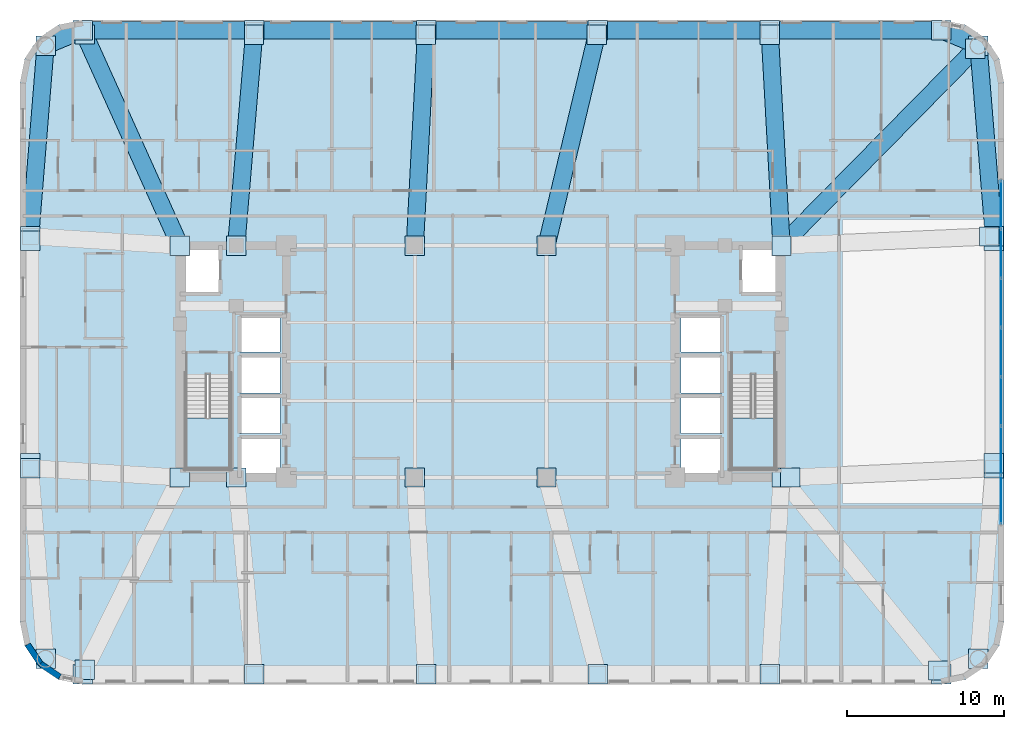
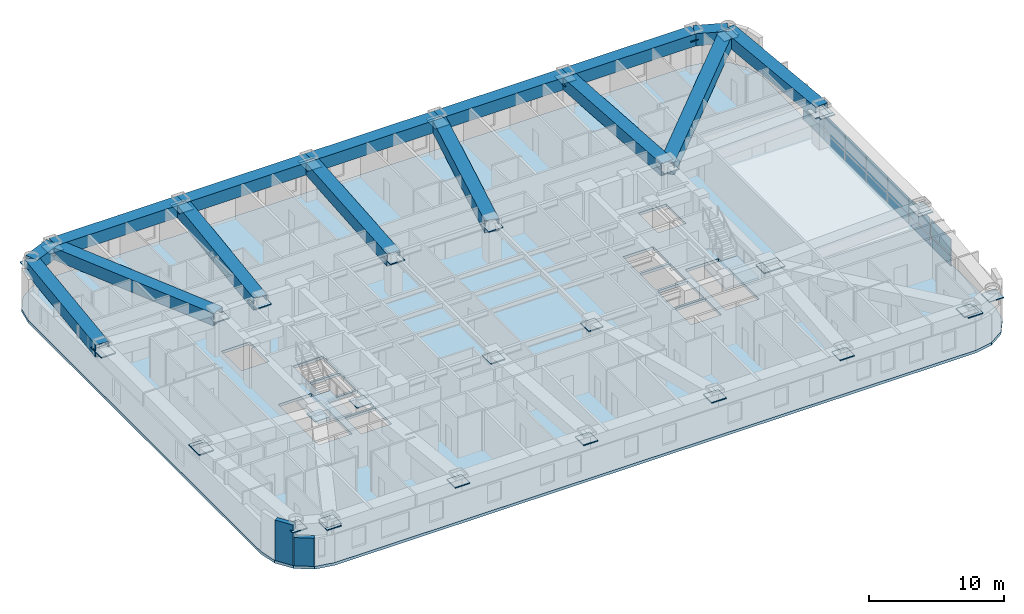
# One storey, part 6 of 16: 58 plates, 15 beams, 3 slabs, 2 walls, 3 elements without a shape of their own.
"""IFC4 building model written with IfcOpenShell, lengths in metres."""

from ifc_helpers import new_model, si_unit, direction, frame, frame_2d, origin, origin_2d, place, context, subcontext, project, spatial, polyline, rectangle, hollow_rectangle, outline, extrude, material, layer, layer_set, material_profile, profile_set, type_object, element, aggregate, save


model = new_model("IFC4")

# Units and contexts
model_context = context("Model", 3, precision=1e-05, world=origin(), true_north=direction((0.0, 1.0)))
body_context = subcontext(model_context, "Body", "Model", "MODEL_VIEW")
ifc_project = project(units=[si_unit("LENGTHUNIT", "METRE"), si_unit("AREAUNIT", "SQUARE_METRE"), si_unit("VOLUMEUNIT", "CUBIC_METRE"), si_unit("PLANEANGLEUNIT", "RADIAN"), si_unit("MASSUNIT", "GRAM", prefix="KILO")], contexts=[model_context])

# Site, building, storey
site_placement = place(None, origin())
site = spatial("IfcSite", under=ifc_project, at=site_placement, CompositionType="ELEMENT")
building_placement = place(site_placement, origin())
building = spatial("IfcBuilding", under=site, at=building_placement, Name="Voryun Gate Residences", CompositionType="ELEMENT")
storey_placement = place(building_placement, frame((0.0, 0.0, 89.699951171875)))
storey = spatial("IfcBuildingStorey", under=building, at=storey_placement, Name="L21", CompositionType="ELEMENT", Elevation=89.699951171875)

# Beams
ifc_material_1 = material(Name="Steel SM420", Category="steel")
ifc_material_profile = material_profile(ifc_material_1, hollow_rectangle(XDim=1.10009765625, YDim=1.10009765625, WallThickness=0.035888671875, at=origin_2d()), Name="BOX-1100x1100x36")
ifc_profile_set = profile_set([ifc_material_profile], Name="Steel SM420")
beam_type = type_object("IfcBeamType", Name="BM_ARCH_RIB", PredefinedType="USERDEFINED", material=ifc_profile_set)
beam_1_placement = place(storey_placement, frame((32.75, 7.998046875, 3.10009765625), z_axis=(-0.080359517973, 0.996765944378, 0.0), x_axis=(-0.996765944378, -0.080359517973, 0.0)))
element("IfcBeam", 1, at=beam_1_placement, inside=storey, type_object=beam_type, Name="BM-L21-SPAND-09", ObjectType="GIRDER", PredefinedType="USERDEFINED", context=body_context, shape_type="SweptSolid", body=[
    extrude(hollow_rectangle(XDim=1.10009765625, YDim=1.10009765625, WallThickness=0.035888671875, at=origin_2d()), origin(), (0.0, 0.0, 1.0), 12.210205078125),
])
beam_2_placement = place(storey_placement, frame((31.768798828125, 20.168701171875, 3.10009765625), z_axis=(-0.923883376753, 0.382674151414, 0.0), x_axis=(-0.382674151414, -0.923883376753, 0.0)))
element("IfcBeam", 2, at=beam_2_placement, inside=storey, type_object=beam_type, Name="BM-L21-SPAND-10", ObjectType="GIRDER", PredefinedType="USERDEFINED", context=body_context, shape_type="SweptSolid", body=[
    extrude(hollow_rectangle(XDim=1.10009765625, YDim=1.10009765625, WallThickness=0.035888671875, at=origin_2d()), origin(), (0.0, 0.0, 1.0), 2.56396484375),
])
for number, where, z_axis, x_axis, name in (
    (3, (29.39990234375, 21.14990234375, 3.10009765625), (-1.0, 0.0, 0.0), (0.0, -1.0, 0.0), "BM-L21-SPAND-11"),
    (4, (18.43994140625, 21.14990234375, 3.10009765625), (-1.0, 0.0, 0.0), (0.0, -1.0, 0.0), "BM-L21-SPAND-12"),
    (5, (7.47998046875, 21.14990234375, 3.10009765625), (-1.0, 0.0, 0.0), (0.0, -1.0, 0.0), "BM-L21-SPAND-13"),
    (6, (-3.47998046875, 21.14990234375, 3.10009765625), (-1.0, 0.0, 0.0), (0.0, -1.0, 0.0), "BM-L21-SPAND-14"),
    (7, (-14.43994140625, 21.14990234375, 3.10009765625), (-1.0, 0.0, 0.0), (0.0, -1.0, 0.0), "BM-L21-SPAND-15"),
):
    element("IfcBeam", number, at=place(storey_placement, frame(where, z_axis=z_axis, x_axis=x_axis)), inside=storey, type_object=beam_type, Name=name, ObjectType="GIRDER", PredefinedType="USERDEFINED", context=body_context, shape_type="SweptSolid", body=[
        extrude(hollow_rectangle(XDim=1.10009765625, YDim=1.10009765625, WallThickness=0.035888671875, at=origin_2d()), origin(), (0.0, 0.0, 1.0), 10.9599609375),
    ])
beam_3_placement = place(storey_placement, frame((-25.39990234375, 21.14990234375, 3.10009765625), z_axis=(-0.923883376753, -0.382674151414, 0.0), x_axis=(0.382674151414, -0.923883376753, 0.0)))
element("IfcBeam", 8, at=beam_3_placement, inside=storey, type_object=beam_type, Name="BM-L21-SPAND-16", ObjectType="GIRDER", PredefinedType="USERDEFINED", context=body_context, shape_type="SweptSolid", body=[
    extrude(hollow_rectangle(XDim=1.10009765625, YDim=1.10009765625, WallThickness=0.035888671875, at=origin_2d()), origin(), (0.0, 0.0, 1.0), 2.56396484375),
])
beam_4_placement = place(storey_placement, frame((-27.768798828125, 20.168701171875, 3.10009765625), z_axis=(-0.080359517973, -0.996765944378, 0.0), x_axis=(0.996765944378, -0.080359517973, 0.0)))
element("IfcBeam", 9, at=beam_4_placement, inside=storey, type_object=beam_type, Name="BM-L21-SPAND-17", ObjectType="GIRDER", PredefinedType="USERDEFINED", context=body_context, shape_type="SweptSolid", body=[
    extrude(hollow_rectangle(XDim=1.10009765625, YDim=1.10009765625, WallThickness=0.035888671875, at=origin_2d()), origin(), (0.0, 0.0, 1.0), 12.210205078125),
])
beam_5_placement = place(storey_placement, frame((19.199951171875, 7.39990234375, 3.10009765625), z_axis=(0.701499888772, 0.712669563018, 0.0), x_axis=(-0.712669563018, 0.701499888772, 0.0)))
element("IfcBeam", 10, at=beam_5_placement, inside=storey, type_object=beam_type, Name="BM-L21-RAD-CNE", ObjectType="GIRDER", PredefinedType="USERDEFINED", context=body_context, shape_type="SweptSolid", body=[
    extrude(hollow_rectangle(XDim=1.10009765625, YDim=1.10009765625, WallThickness=0.035888671875, at=origin_2d()), origin(), (0.0, 0.0, 1.0), 17.6171875),
])
beam_6_placement = place(storey_placement, frame((19.199951171875, 7.39990234375, 3.10009765625), z_axis=(-0.055184954346, 0.998476149346, 0.0), x_axis=(-0.998476149346, -0.055184954346, 0.0)))
element("IfcBeam", 11, at=beam_6_placement, inside=storey, type_object=beam_type, Name="BM-L21-RAD-N2", ObjectType="GIRDER", PredefinedType="USERDEFINED", context=body_context, shape_type="SweptSolid", body=[
    extrude(hollow_rectangle(XDim=1.10009765625, YDim=1.10009765625, WallThickness=0.035888671875, at=origin_2d()), origin(), (0.0, 0.0, 1.0), 13.47119140625),
])
beam_7_placement = place(storey_placement, frame((4.199951171875, 7.39990234375, 3.10009765625), z_axis=(0.232037976677, 0.972706727323, 0.0), x_axis=(-0.972706727323, 0.232037976677, 0.0)))
element("IfcBeam", 12, at=beam_7_placement, inside=storey, type_object=beam_type, Name="BM-L21-RAD-N3", ObjectType="GIRDER", PredefinedType="USERDEFINED", context=body_context, shape_type="SweptSolid", body=[
    extrude(hollow_rectangle(XDim=1.10009765625, YDim=1.10009765625, WallThickness=0.035888671875, at=origin_2d()), origin(), (0.0, 0.0, 1.0), 13.8359375),
])
beam_8_placement = place(storey_placement, frame((-4.199951171875, 7.39990234375, 3.10009765625), z_axis=(0.052294347673, 0.998631714498, 0.0), x_axis=(-0.998631714498, 0.052294347673, 0.0)))
element("IfcBeam", 13, at=beam_8_placement, inside=storey, type_object=beam_type, Name="BM-L21-RAD-N4", ObjectType="GIRDER", PredefinedType="USERDEFINED", context=body_context, shape_type="SweptSolid", body=[
    extrude(hollow_rectangle(XDim=1.10009765625, YDim=1.10009765625, WallThickness=0.035888671875, at=origin_2d()), origin(), (0.0, 0.0, 1.0), 13.46875),
])
beam_9_placement = place(storey_placement, frame((-15.60009765625, 7.39990234375, 3.10009765625), z_axis=(0.08408119387, 0.996458906748, 0.0), x_axis=(-0.996458906748, 0.08408119387, 0.0)))
element("IfcBeam", 14, at=beam_9_placement, inside=storey, type_object=beam_type, Name="BM-L21-RAD-N5", ObjectType="GIRDER", PredefinedType="USERDEFINED", context=body_context, shape_type="SweptSolid", body=[
    extrude(hollow_rectangle(XDim=1.10009765625, YDim=1.10009765625, WallThickness=0.035888671875, at=origin_2d()), origin(), (0.0, 0.0, 1.0), 13.4990234375),
])
beam_10_placement = place(storey_placement, frame((-19.199951171875, 7.39990234375, 3.10009765625), z_axis=(-0.411051243502, 0.911612239505, 0.0), x_axis=(-0.911612239505, -0.411051243502, 0.0)))
element("IfcBeam", 15, at=beam_10_placement, inside=storey, type_object=beam_type, Name="BM-L21-RAD-N6", ObjectType="GIRDER", PredefinedType="USERDEFINED", context=body_context, shape_type="SweptSolid", body=[
    extrude(hollow_rectangle(XDim=1.10009765625, YDim=1.10009765625, WallThickness=0.035888671875, at=origin_2d()), origin(), (0.0, 0.0, 1.0), 14.783203125),
])

# Plates
ifc_material_2 = material(Name="Steel SM355", Category="steel")
ifc_layer_1 = layer(ifc_material_2, 0.02490234375, Name="PLT_END_CAP_25")
ifc_layer_set_1 = layer_set([ifc_layer_1], Name="Steel SM355")
plate_type_1 = type_object("IfcPlateType", Name="PLT_END_CAP_25", PredefinedType="USERDEFINED", material=ifc_layer_set_1)
for number, where, z_axis, x_axis, name in (
    (16, (-25.39990234375, -19.949951171875, 3.06005859375), (0.0, 0.0, 1.0), (1.0, 0.0, 0.0), "L21 Hollow Member End-Cap Plate EC-326"),
    (17, (-14.43994140625, -19.949951171875, 3.06005859375), (0.0, 0.0, 1.0), (1.0, 0.0, 0.0), "L21 Hollow Member End-Cap Plate EC-327"),
    (18, (-3.47998046875, -19.949951171875, 3.06005859375), (0.0, 0.0, 1.0), (1.0, 0.0, 0.0), "L21 Hollow Member End-Cap Plate EC-328"),
    (19, (7.47998046875, -19.949951171875, 3.06005859375), (0.0, 0.0, 1.0), (1.0, 0.0, 0.0), "L21 Hollow Member End-Cap Plate EC-329"),
    (20, (18.43994140625, -19.949951171875, 3.06005859375), (0.0, 0.0, 1.0), (1.0, 0.0, 0.0), "L21 Hollow Member End-Cap Plate EC-330"),
    (21, (29.39990234375, -19.949951171875, 3.06005859375), (0.0, 0.0, 1.0), (1.0, 0.0, 0.0), "L21 Hollow Member End-Cap Plate EC-331"),
    (22, (31.768798828125, -18.96875, 3.06005859375), (0.0, 0.0, 1.0), (1.0, 0.0, 0.0), "L21 Hollow Member End-Cap Plate EC-332"),
    (23, (32.75, -6.798095703125, 3.06005859375), (0.0, 0.0, 1.0), (1.0, 0.0, 0.0), "L21 Hollow Member End-Cap Plate EC-333"),
    (24, (32.75, -6.498046875, 3.06005859375), (0.0, 0.0, 1.0), (1.0, 0.0, 0.0), "L21 Hollow Member End-Cap Plate EC-334"),
    (25, (32.75, 7.697998046875, 3.06005859375), (0.0, 0.0, 1.0), (1.0, 0.0, 0.0), "L21 Hollow Member End-Cap Plate EC-335"),
    (26, (32.75, 7.998046875, 3.06005859375), (0.0, 0.0, 1.0), (1.0, 0.0, 0.0), "L21 Hollow Member End-Cap Plate EC-336"),
    (27, (31.768798828125, 20.168701171875, 3.06005859375), (0.0, 0.0, 1.0), (1.0, 0.0, 0.0), "L21 Hollow Member End-Cap Plate EC-337"),
    (28, (29.39990234375, 21.14990234375, 3.06005859375), (0.0, 0.0, 1.0), (1.0, 0.0, 0.0), "L21 Hollow Member End-Cap Plate EC-338"),
    (29, (18.43994140625, 21.14990234375, 3.06005859375), (0.0, 0.0, 1.0), (1.0, 0.0, 0.0), "L21 Hollow Member End-Cap Plate EC-339"),
    (30, (7.47998046875, 21.14990234375, 3.06005859375), (0.0, 0.0, 1.0), (1.0, 0.0, 0.0), "L21 Hollow Member End-Cap Plate EC-340"),
    (31, (-3.47998046875, 21.14990234375, 3.06005859375), (0.0, 0.0, 1.0), (1.0, 0.0, 0.0), "L21 Hollow Member End-Cap Plate EC-341"),
    (32, (-14.43994140625, 21.14990234375, 3.06005859375), (0.0, 0.0, 1.0), (1.0, 0.0, 0.0), "L21 Hollow Member End-Cap Plate EC-342"),
    (33, (-25.39990234375, 21.14990234375, 3.06005859375), (0.0, 0.0, 1.0), (1.0, 0.0, 0.0), "L21 Hollow Member End-Cap Plate EC-343"),
    (34, (-27.768798828125, 20.168701171875, 3.06005859375), (0.0, 0.0, 1.0), (1.0, 0.0, 0.0), "L21 Hollow Member End-Cap Plate EC-344"),
    (35, (-28.75, 7.998046875, 3.06005859375), (0.0, 0.0, 1.0), (1.0, 0.0, 0.0), "L21 Hollow Member End-Cap Plate EC-345"),
    (36, (-28.75, 7.697998046875, 3.06005859375), (0.0, 0.0, 1.0), (1.0, 0.0, 0.0), "L21 Hollow Member End-Cap Plate EC-346"),
    (37, (-28.75, -6.498046875, 3.06005859375), (0.0, 0.0, 1.0), (1.0, 0.0, 0.0), "L21 Hollow Member End-Cap Plate EC-347"),
    (38, (-28.75, -6.798095703125, 3.06005859375), (0.0, 0.0, 1.0), (1.0, 0.0, 0.0), "L21 Hollow Member End-Cap Plate EC-348"),
    (39, (-27.768798828125, -18.96875, 3.06005859375), (0.0, 0.0, 1.0), (1.0, 0.0, 0.0), "L21 Hollow Member End-Cap Plate EC-349"),
    (40, (-19.199951171875, -7.39990234375, 3.06005859375), (0.0, 0.0, 1.0), (1.0, 0.0, 0.0), "L21 Hollow Member End-Cap Plate EC-350"),
    (41, (-25.26708984375, -19.680908203125, 3.06005859375), (0.0, 0.0, 1.0), (1.0, 0.0, 0.0), "L21 Hollow Member End-Cap Plate EC-351"),
    (42, (-15.60009765625, -7.39990234375, 3.06005859375), (0.0, 0.0, 1.0), (1.0, 0.0, 0.0), "L21 Hollow Member End-Cap Plate EC-352"),
    (43, (-4.199951171875, -7.39990234375, 3.06005859375), (0.0, 0.0, 1.0), (1.0, 0.0, 0.0), "L21 Hollow Member End-Cap Plate EC-353"),
    (44, (4.199951171875, -7.39990234375, 3.06005859375), (0.0, 0.0, 1.0), (1.0, 0.0, 0.0), "L21 Hollow Member End-Cap Plate EC-354"),
    (45, (19.199951171875, -7.39990234375, 3.06005859375), (0.0, 0.0, 1.0), (1.0, 0.0, 0.0), "L21 Hollow Member End-Cap Plate EC-355"),
    (46, (29.210693359375, -19.71728515625, 3.06005859375), (0.0, 0.0, 1.0), (1.0, 0.0, 0.0), "L21 Hollow Member End-Cap Plate EC-356"),
    (47, (19.75, -7.39990234375, 3.06005859375), (0.0, 0.0, 1.0), (1.0, 0.0, 0.0), "L21 Hollow Member End-Cap Plate EC-357"),
    (48, (19.199951171875, 7.39990234375, 3.06005859375), (0.0, 0.0, 1.0), (1.0, 0.0, 0.0), "L21 Hollow Member End-Cap Plate EC-358"),
    (49, (32.4501953125, 7.98486328125, 3.06005859375), (0.0, 0.0, 1.0), (1.0, 0.0, 0.0), "L21 Hollow Member End-Cap Plate EC-359"),
    (50, (31.558349609375, 19.955078125, 3.06005859375), (0.0, 0.0, 1.0), (1.0, 0.0, 0.0), "L21 Hollow Member End-Cap Plate EC-360"),
    (51, (18.45654296875, 20.8505859375, 3.06005859375), (0.0, 0.0, 1.0), (1.0, 0.0, 0.0), "L21 Hollow Member End-Cap Plate EC-361"),
    (52, (4.199951171875, 7.39990234375, 3.06005859375), (0.0, 0.0, 1.0), (1.0, 0.0, 0.0), "L21 Hollow Member End-Cap Plate EC-362"),
    (53, (7.410400390625, 20.858154296875, 3.06005859375), (0.0, 0.0, 1.0), (1.0, 0.0, 0.0), "L21 Hollow Member End-Cap Plate EC-363"),
    (54, (-4.199951171875, 7.39990234375, 3.06005859375), (0.0, 0.0, 1.0), (1.0, 0.0, 0.0), "L21 Hollow Member End-Cap Plate EC-364"),
    (55, (-3.49560546875, 20.850341796875, 3.06005859375), (0.0, 0.0, 1.0), (1.0, 0.0, 0.0), "L21 Hollow Member End-Cap Plate EC-365"),
    (56, (-15.60009765625, 7.39990234375, 3.06005859375), (0.0, 0.0, 1.0), (1.0, 0.0, 0.0), "L21 Hollow Member End-Cap Plate EC-366"),
    (57, (-14.465087890625, 20.85107421875, 3.06005859375), (0.0, 0.0, 1.0), (1.0, 0.0, 0.0), "L21 Hollow Member End-Cap Plate EC-367"),
    (58, (-19.199951171875, 7.39990234375, 3.06005859375), (0.0, 0.0, 1.0), (1.0, 0.0, 0.0), "L21 Hollow Member End-Cap Plate EC-368"),
    (59, (-25.276611328125, 20.87646484375, 3.06005859375), (0.0, 0.0, 1.0), (1.0, 0.0, 0.0), "L21 Hollow Member End-Cap Plate EC-369"),
):
    element("IfcPlate", number, at=place(storey_placement, frame(where, z_axis=z_axis, x_axis=x_axis)), inside=storey, type_object=plate_type_1, Name=name, ObjectType="BASE_PLATE", PredefinedType="USERDEFINED", context=body_context, shape_type="SweptSolid", body=[
        extrude(rectangle(XDim=1.239990234375, YDim=1.239990234375, at=origin_2d()), origin(), (0.0, 0.0, 1.0), 0.080078125),
    ])

# Curtain wall, plates
ifc_material_3 = material(Name="Anodised aluminium", Category="aluminium")
ifc_layer_2 = layer(ifc_material_3, 0.2099609375, Name="CW_SYS_SKYGARDEN_DARK_GLASS")
ifc_layer_set_2 = layer_set([ifc_layer_2], Name="Anodised aluminium")
curtain_wall_type = type_object("IfcCurtainWallType", Name="CW_SYS_SKYGARDEN_DARK_GLASS", PredefinedType="NOTDEFINED", material=ifc_layer_set_2)
curtain_wall_placement = place(storey_placement, origin())
curtain_wall = element("IfcCurtainWall", 60, at=curtain_wall_placement, inside=storey, type_object=curtain_wall_type, Name="Curtain wall CW5-L21-SG-16", PredefinedType="NOTDEFINED")
ifc_material_4 = material(Name="Laminated low-E glass", Category="glass")
ifc_layer_3 = layer(ifc_material_4, 0.0458984375, Name="PLT_GLASS_DARK_SKY")
ifc_layer_set_3 = layer_set([ifc_layer_3], Name="Laminated low-E glass")
plate_type_2 = type_object("IfcPlateType", Name="PLT_GLASS_DARK_SKY", PredefinedType="CURTAIN_PANEL", material=ifc_layer_set_3)
plate_1_placement = place(storey_placement, frame((33.2099609375, 10.01025390625, 0.06005859375), z_axis=(0.0, 0.0, 1.0), x_axis=(0.0, -1.0, 0.0)))
plate_1 = element("IfcPlate", 61, at=plate_1_placement, type_object=plate_type_2, Name="CW5 panel 1.1", PredefinedType="CURTAIN_PANEL", context=body_context, shape_type="SweptSolid", body=[
    extrude(rectangle(XDim=3.0517578125, YDim=0.028076171875, at=origin_2d()), origin(), (0.0, 0.0, 1.0), 0.824462890625),
])
plate_2_placement = place(storey_placement, frame((33.2099609375, 10.01025390625, 0.9443359375), z_axis=(0.0, 0.0, 1.0), x_axis=(0.0, -1.0, 0.0)))
plate_2 = element("IfcPlate", 62, at=plate_2_placement, type_object=plate_type_2, Name="CW5 panel 1.2", PredefinedType="CURTAIN_PANEL", context=body_context, shape_type="SweptSolid", body=[
    extrude(rectangle(XDim=3.0517578125, YDim=0.028076171875, at=origin_2d()), origin(), (0.0, 0.0, 1.0), 1.53564453125),
])
plate_3_placement = place(storey_placement, frame((33.2099609375, 6.883544921875, 0.06005859375), z_axis=(0.0, 0.0, 1.0), x_axis=(0.0, -1.0, 0.0)))
plate_3 = element("IfcPlate", 63, at=plate_3_placement, type_object=plate_type_2, Name="CW5 panel 2.1", PredefinedType="CURTAIN_PANEL", context=body_context, shape_type="SweptSolid", body=[
    extrude(rectangle(XDim=3.081787109375, YDim=0.028076171875, at=origin_2d()), origin(), (0.0, 0.0, 1.0), 0.824462890625),
])
plate_4_placement = place(storey_placement, frame((33.2099609375, 6.883544921875, 0.9443359375), z_axis=(0.0, 0.0, 1.0), x_axis=(0.0, -1.0, 0.0)))
plate_4 = element("IfcPlate", 64, at=plate_4_placement, type_object=plate_type_2, Name="CW5 panel 2.2", PredefinedType="CURTAIN_PANEL", context=body_context, shape_type="SweptSolid", body=[
    extrude(rectangle(XDim=3.081787109375, YDim=0.028076171875, at=origin_2d()), origin(), (0.0, 0.0, 1.0), 1.53564453125),
])
plate_5_placement = place(storey_placement, frame((33.2099609375, 3.74169921875, 0.06005859375), z_axis=(0.0, 0.0, 1.0), x_axis=(0.0, -1.0, 0.0)))
plate_5 = element("IfcPlate", 65, at=plate_5_placement, type_object=plate_type_2, Name="CW5 panel 3.1", PredefinedType="CURTAIN_PANEL", context=body_context, shape_type="SweptSolid", body=[
    extrude(rectangle(XDim=3.081787109375, YDim=0.028076171875, at=origin_2d()), origin(), (0.0, 0.0, 1.0), 0.824462890625),
])
plate_6_placement = place(storey_placement, frame((33.2099609375, 3.74169921875, 0.9443359375), z_axis=(0.0, 0.0, 1.0), x_axis=(0.0, -1.0, 0.0)))
plate_6 = element("IfcPlate", 66, at=plate_6_placement, type_object=plate_type_2, Name="CW5 panel 3.2", PredefinedType="CURTAIN_PANEL", context=body_context, shape_type="SweptSolid", body=[
    extrude(rectangle(XDim=3.081787109375, YDim=0.028076171875, at=origin_2d()), origin(), (0.0, 0.0, 1.0), 1.53564453125),
])
plate_7_placement = place(storey_placement, frame((33.2099609375, 0.60009765625, 0.06005859375), z_axis=(0.0, 0.0, 1.0), x_axis=(0.0, -1.0, 0.0)))
plate_7 = element("IfcPlate", 67, at=plate_7_placement, type_object=plate_type_2, Name="CW5 panel 4.1", PredefinedType="CURTAIN_PANEL", context=body_context, shape_type="SweptSolid", body=[
    extrude(rectangle(XDim=3.081787109375, YDim=0.028076171875, at=origin_2d()), origin(), (0.0, 0.0, 1.0), 0.824462890625),
])
plate_8_placement = place(storey_placement, frame((33.2099609375, 0.60009765625, 0.9443359375), z_axis=(0.0, 0.0, 1.0), x_axis=(0.0, -1.0, 0.0)))
plate_8 = element("IfcPlate", 68, at=plate_8_placement, type_object=plate_type_2, Name="CW5 panel 4.2", PredefinedType="CURTAIN_PANEL", context=body_context, shape_type="SweptSolid", body=[
    extrude(rectangle(XDim=3.081787109375, YDim=0.028076171875, at=origin_2d()), origin(), (0.0, 0.0, 1.0), 1.53564453125),
])
plate_9_placement = place(storey_placement, frame((33.2099609375, -2.541748046875, 0.06005859375), z_axis=(0.0, 0.0, 1.0), x_axis=(0.0, -1.0, 0.0)))
plate_9 = element("IfcPlate", 69, at=plate_9_placement, type_object=plate_type_2, Name="CW5 panel 5.1", PredefinedType="CURTAIN_PANEL", context=body_context, shape_type="SweptSolid", body=[
    extrude(rectangle(XDim=3.081787109375, YDim=0.028076171875, at=origin_2d()), origin(), (0.0, 0.0, 1.0), 0.824462890625),
])
plate_10_placement = place(storey_placement, frame((33.2099609375, -2.541748046875, 0.9443359375), z_axis=(0.0, 0.0, 1.0), x_axis=(0.0, -1.0, 0.0)))
plate_10 = element("IfcPlate", 70, at=plate_10_placement, type_object=plate_type_2, Name="CW5 panel 5.2", PredefinedType="CURTAIN_PANEL", context=body_context, shape_type="SweptSolid", body=[
    extrude(rectangle(XDim=3.081787109375, YDim=0.028076171875, at=origin_2d()), origin(), (0.0, 0.0, 1.0), 1.53564453125),
])
plate_11_placement = place(storey_placement, frame((33.2099609375, -5.683349609375, 0.06005859375), z_axis=(0.0, 0.0, 1.0), x_axis=(0.0, -1.0, 0.0)))
plate_11 = element("IfcPlate", 71, at=plate_11_placement, type_object=plate_type_2, Name="CW5 panel 6.1", PredefinedType="CURTAIN_PANEL", context=body_context, shape_type="SweptSolid", body=[
    extrude(rectangle(XDim=3.081787109375, YDim=0.028076171875, at=origin_2d()), origin(), (0.0, 0.0, 1.0), 0.824462890625),
])
plate_12_placement = place(storey_placement, frame((33.2099609375, -5.683349609375, 0.9443359375), z_axis=(0.0, 0.0, 1.0), x_axis=(0.0, -1.0, 0.0)))
plate_12 = element("IfcPlate", 72, at=plate_12_placement, type_object=plate_type_2, Name="CW5 panel 6.2", PredefinedType="CURTAIN_PANEL", context=body_context, shape_type="SweptSolid", body=[
    extrude(rectangle(XDim=3.081787109375, YDim=0.028076171875, at=origin_2d()), origin(), (0.0, 0.0, 1.0), 1.53564453125),
])
plate_13_placement = place(storey_placement, frame((33.2099609375, -8.81005859375, 0.06005859375), z_axis=(0.0, 0.0, 1.0), x_axis=(0.0, -1.0, 0.0)))
plate_13 = element("IfcPlate", 73, at=plate_13_placement, type_object=plate_type_2, Name="CW5 panel 7.1", PredefinedType="CURTAIN_PANEL", context=body_context, shape_type="SweptSolid", body=[
    extrude(rectangle(XDim=3.0517578125, YDim=0.028076171875, at=origin_2d()), origin(), (0.0, 0.0, 1.0), 0.824462890625),
])
plate_14_placement = place(storey_placement, frame((33.2099609375, -8.81005859375, 0.9443359375), z_axis=(0.0, 0.0, 1.0), x_axis=(0.0, -1.0, 0.0)))
plate_14 = element("IfcPlate", 74, at=plate_14_placement, type_object=plate_type_2, Name="CW5 panel 7.2", PredefinedType="CURTAIN_PANEL", context=body_context, shape_type="SweptSolid", body=[
    extrude(rectangle(XDim=3.0517578125, YDim=0.028076171875, at=origin_2d()), origin(), (0.0, 0.0, 1.0), 1.53564453125),
])
aggregate(curtain_wall, [plate_1, plate_2, plate_3, plate_4, plate_5, plate_6, plate_7, plate_8, plate_9, plate_10, plate_11, plate_12, plate_13, plate_14])

# Slab
ifc_material_5 = material(Name="Concrete C40/50", Category="concrete")
ifc_layer_4 = layer(ifc_material_5, 0.25, Name="SLB_RES_250")
ifc_layer_set_4 = layer_set([ifc_layer_4], Name="Concrete C40/50")
slab_type_1 = type_object("IfcSlabType", Name="SLB_RES_250", PredefinedType="FLOOR", material=ifc_layer_set_4)
slab_1_placement = place(storey_placement, frame((0.0, 0.0, -0.25)))
element("IfcSlab", 75, at=slab_1_placement, inside=storey, type_object=slab_type_1, Name="L21 Structural Floor Slab", PredefinedType="FLOOR", context=body_context, shape_type="SweptSolid", body=[
    extrude(outline(polyline([(-25.39990234375, -20.60009765625), (-26.9306640625, -20.29541015625), (-28.228515625, -19.428466796875), (-29.095458984375, -18.130615234375), (-29.39990234375, -16.60009765625), (-29.39990234375, 17.800048828125), (-29.095458984375, 19.330810546875), (-28.228515625, 20.62841796875), (-26.9306640625, 21.49560546875), (-25.39990234375, 21.800048828125), (29.39990234375, 21.800048828125), (30.9306640625, 21.49560546875), (32.228515625, 20.62841796875), (33.095458984375, 19.330810546875), (33.39990234375, 17.800048828125), (33.39990234375, -16.60009765625), (33.095458984375, -18.130615234375), (32.228515625, -19.428466796875), (30.9306640625, -20.29541015625), (29.39990234375, -20.60009765625), (-25.39990234375, -20.60009765625)]), holes=[polyline([(-12.800048828125, -4.800048828125), (-15.39990234375, -4.800048828125), (-15.39990234375, -7.199951171875), (-12.800048828125, -7.199951171875), (-12.800048828125, -4.800048828125)]), polyline([(-18.824951171875, -6.85009765625), (-15.97509765625, -6.85009765625), (-15.97509765625, -0.840087890625), (-18.824951171875, -0.840087890625), (-18.824951171875, -6.85009765625)]), polyline([(-12.800048828125, -4.60009765625), (-12.800048828125, -2.199951171875), (-15.39990234375, -2.199951171875), (-15.39990234375, -4.60009765625), (-12.800048828125, -4.60009765625)]), polyline([(-12.800048828125, 0.39990234375), (-15.39990234375, 0.39990234375), (-15.39990234375, -2.0), (-12.800048828125, -2.0), (-12.800048828125, 0.39990234375)]), polyline([(-12.800048828125, 0.60009765625), (-12.800048828125, 2.89990234375), (-15.39990234375, 2.89990234375), (-15.39990234375, 0.60009765625), (-12.800048828125, 0.60009765625)]), polyline([(-16.60009765625, 4.300048828125), (-16.60009765625, 7.199951171875), (-19.0, 7.199951171875), (-19.0, 4.300048828125), (-16.60009765625, 4.300048828125)]), polyline([(15.39990234375, -4.800048828125), (12.800048828125, -4.800048828125), (12.800048828125, -7.199951171875), (15.39990234375, -7.199951171875), (15.39990234375, -4.800048828125)]), polyline([(15.97509765625, -6.85009765625), (18.824951171875, -6.85009765625), (18.824951171875, -0.840087890625), (15.97509765625, -0.840087890625), (15.97509765625, -6.85009765625)]), polyline([(15.39990234375, -4.60009765625), (15.39990234375, -2.199951171875), (12.800048828125, -2.199951171875), (12.800048828125, -4.60009765625), (15.39990234375, -4.60009765625)]), polyline([(15.39990234375, 0.39990234375), (12.800048828125, 0.39990234375), (12.800048828125, -2.0), (15.39990234375, -2.0), (15.39990234375, 0.39990234375)]), polyline([(15.39990234375, 0.60009765625), (15.39990234375, 2.89990234375), (12.800048828125, 2.89990234375), (12.800048828125, 0.60009765625), (15.39990234375, 0.60009765625)]), polyline([(19.0, 4.300048828125), (19.0, 7.199951171875), (16.60009765625, 7.199951171875), (16.60009765625, 4.300048828125), (19.0, 4.300048828125)])]), origin(), (0.0, 0.0, 1.0), 0.25),
])

# Stair, slab
ifc_material_6 = material(Name="Concrete C40/50", Category="concrete")
stair_type = type_object("IfcStairType", Name="STR_CORE_DOGLEG_1350", PredefinedType="HALF_TURN_STAIR", material=ifc_material_6)
stair_1_placement = place(storey_placement, origin())
stair_1 = element("IfcStair", 76, at=stair_1_placement, inside=storey, type_object=stair_type, Name="L21 Special Escape Stair ST-W1", PredefinedType="HALF_TURN_STAIR")
ifc_material_7 = material(Name="Concrete C40/50", Category="concrete")
ifc_layer_5 = layer(ifc_material_7, 0.199951171875, Name="SLB_STAIR_LANDING_200")
ifc_layer_set_5 = layer_set([ifc_layer_5], Name="Concrete C40/50")
slab_type_2 = type_object("IfcSlabType", Name="SLB_STAIR_LANDING_200", PredefinedType="LANDING", material=ifc_layer_set_5)
slab_2_placement = place(storey_placement, frame((0.0, 0.0, 1.75)))
slab_2 = element("IfcSlab", 77, at=slab_2_placement, type_object=slab_type_2, Name="ST-W1 landing 1", PredefinedType="LANDING", context=body_context, shape_type="SweptSolid", body=[
    extrude(outline(polyline([(-18.824951171875, -3.60009765625), (-18.824951171875, -6.85009765625), (-15.97509765625, -6.85009765625), (-15.97509765625, -3.60009765625), (-18.824951171875, -3.60009765625)])), origin(), (0.0, 0.0, 1.0), 0.199951171875),
])
aggregate(stair_1, [slab_2])

stair_2_placement = place(storey_placement, origin())
stair_2 = element("IfcStair", 78, at=stair_2_placement, inside=storey, type_object=stair_type, Name="L21 Special Escape Stair ST-E1", PredefinedType="HALF_TURN_STAIR")
slab_3_placement = place(storey_placement, frame((0.0, 0.0, 1.75)))
slab_3 = element("IfcSlab", 79, at=slab_3_placement, type_object=slab_type_2, Name="ST-E1 landing 1", PredefinedType="LANDING", context=body_context, shape_type="SweptSolid", body=[
    extrude(outline(polyline([(15.97509765625, -3.60009765625), (15.97509765625, -6.85009765625), (18.824951171875, -6.85009765625), (18.824951171875, -3.60009765625), (15.97509765625, -3.60009765625)])), origin(), (0.0, 0.0, 1.0), 0.199951171875),
])
aggregate(stair_2, [slab_3])

# Walls
ifc_material_8 = material(Name="Granite masonry", Category="masonry")
ifc_layer_6 = layer(ifc_material_8, 0.3798828125, Name="W_EXT_GRANITE_380")
ifc_layer_set_6 = layer_set([ifc_layer_6], Name="Granite masonry")
wall_type = type_object("IfcWallType", Name="W_EXT_GRANITE_380", PredefinedType="ELEMENTEDWALL", material=ifc_layer_set_6)
wall_1_placement = place(storey_placement, frame((-26.856689453125, -20.116455078125, 0.0), z_axis=(0.0, 0.0, 1.0), x_axis=(-0.831468045563, 0.555572577804, 0.0)))
element("IfcWall", 80, at=wall_1_placement, inside=storey, type_object=wall_type, Name="Exterior wall WEXT-L21-03", PredefinedType="ELEMENTEDWALL", context=body_context, shape_type="SweptSolid", body=[
    extrude(rectangle(XDim=1.48486328125, YDim=0.3798828125, at=frame_2d((0.742431640625, 0.0))), origin(), (0.0, 0.0, 1.0), 2.5400390625),
])
wall_2_placement = place(storey_placement, frame((-28.09130859375, -19.29150390625, 0.0), z_axis=(0.0, 0.0, 1.0), x_axis=(-0.555610286119, 0.831442848281, 0.0)))
element("IfcWall", 81, at=wall_2_placement, inside=storey, type_object=wall_type, Name="Exterior wall WEXT-L21-04", PredefinedType="ELEMENTEDWALL", context=body_context, shape_type="SweptSolid", body=[
    extrude(rectangle(XDim=1.485107421875, YDim=0.3798828125, at=frame_2d((0.74267578125, 0.0))), origin(), (0.0, 0.0, 1.0), 3.650146484375),
])

save(model, "model.ifc")
